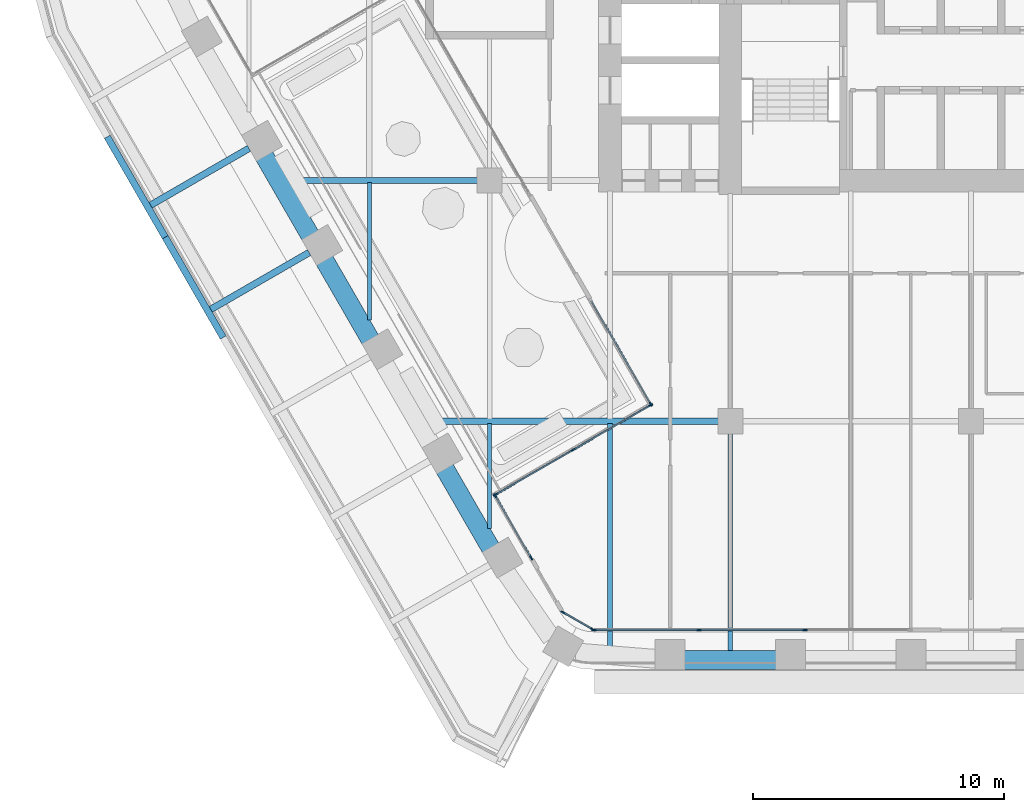
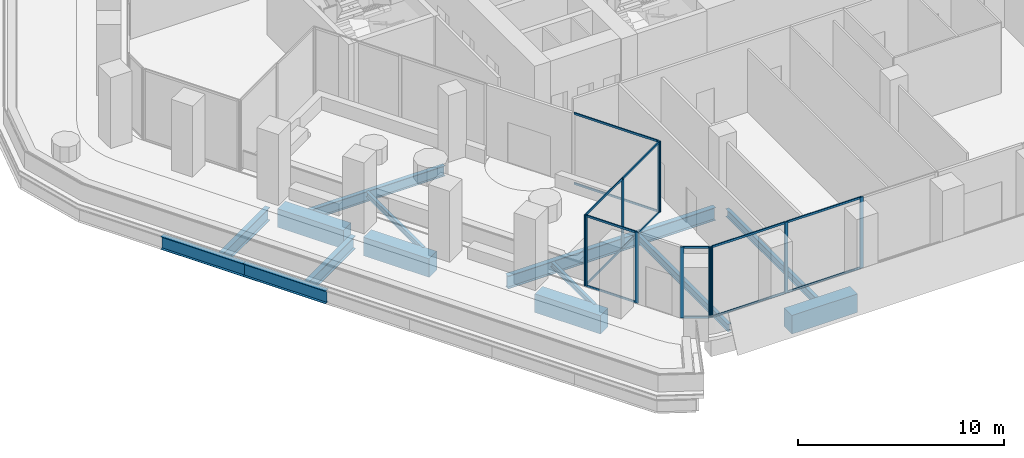
# One storey, part 2 of 27: 25 members, 14 beams, 5 elements without a shape of their own.
"""IFC4 building model written with IfcOpenShell, lengths in metres."""

from ifc_helpers import new_model, si_unit, direction, frame, origin, origin_2d, place, context, subcontext, project, spatial, rectangle, i_section, extrude, material, material_profile, profile_set, type_object, element, aggregate, save


model = new_model("IFC4")

# Units and contexts
model_context = context("Model", 3, precision=1e-05, world=origin(), true_north=direction((0.0, 1.0)))
body_context = subcontext(model_context, "Body", "Model", "MODEL_VIEW")
ifc_project = project(units=[si_unit("LENGTHUNIT", "METRE"), si_unit("AREAUNIT", "SQUARE_METRE"), si_unit("VOLUMEUNIT", "CUBIC_METRE"), si_unit("PLANEANGLEUNIT", "RADIAN"), si_unit("MASSUNIT", "GRAM", prefix="KILO")], contexts=[model_context])

# Site, building, storey
site_placement = place(None, origin())
site = spatial("IfcSite", under=ifc_project, at=site_placement, CompositionType="ELEMENT")
building_placement = place(site_placement, origin())
building = spatial("IfcBuilding", under=site, at=building_placement, Name="Kolab Exchange Tower", CompositionType="ELEMENT")
storey_placement = place(building_placement, frame((0.0, 0.0, 122.89990234375)))
storey = spatial("IfcBuildingStorey", under=building, at=storey_placement, Name="L24", CompositionType="ELEMENT", Elevation=122.89990234375)

# Beams
ifc_material_1 = material(Name="Steel S355", Category="steel")
ifc_material_profile_1 = material_profile(ifc_material_1, i_section(OverallWidth=0.1650390625, OverallDepth=0.31005859375, WebThickness=0.005859375, FlangeThickness=0.009765625, at=origin_2d()), Name="W310X39")
ifc_profile_set_1 = profile_set([ifc_material_profile_1], Name="Steel S355")
beam_type_1 = type_object("IfcBeamType", Name="FLOOR BEAM W310X39", PredefinedType="BEAM", material=ifc_profile_set_1)
beam_1_placement = place(storey_placement, frame((-24.0, -15.167724609375, -0.35498046875), z_axis=(0.0, 1.0, 0.0), x_axis=(-1.0, 0.0, 0.0)))
element("IfcBeam", 1, at=beam_1_placement, inside=storey, type_object=beam_type_1, Name="beam/L24/fr/002", PredefinedType="BEAM", context=body_context, shape_type="SweptSolid", body=[
    extrude(i_section(OverallWidth=0.1650390625, OverallDepth=0.31005859375, WebThickness=0.005859375, FlangeThickness=0.009765625, at=origin_2d()), origin(), (0.0, 0.0, 1.0), 5.49365234375),
])
beam_2_placement = place(storey_placement, frame((-19.199951171875, -23.4814453125, -0.35498046875), z_axis=(0.0, 1.0, 0.0), x_axis=(-1.0, 0.0, 0.0)))
element("IfcBeam", 2, at=beam_2_placement, inside=storey, type_object=beam_type_1, Name="beam/L24/fr/006", PredefinedType="BEAM", context=body_context, shape_type="SweptSolid", body=[
    extrude(i_section(OverallWidth=0.1650390625, OverallDepth=0.31005859375, WebThickness=0.005859375, FlangeThickness=0.009765625, at=origin_2d()), origin(), (0.0, 0.0, 1.0), 4.18798828125),
])
ifc_material_profile_2 = material_profile(ifc_material_1, i_section(OverallWidth=0.18994140625, OverallDepth=0.45703125, WebThickness=0.009033203125, FlangeThickness=0.014404296875, at=origin_2d()), Name="W460X74")
ifc_profile_set_2 = profile_set([ifc_material_profile_2], Name="Steel S355")
beam_type_2 = type_object("IfcBeamType", Name="FLOOR BEAM W460X74", PredefinedType="BEAM", material=ifc_profile_set_2)
beam_3_placement = place(storey_placement, frame((-14.39990234375, -28.194580078125, -0.428466796875), z_axis=(0.0, 1.0, 0.0), x_axis=(-1.0, 0.0, 0.0)))
element("IfcBeam", 3, at=beam_3_placement, inside=storey, type_object=beam_type_2, Name="beam/L24/fr/012", PredefinedType="BEAM", context=body_context, shape_type="SweptSolid", body=[
    extrude(i_section(OverallWidth=0.18994140625, OverallDepth=0.45703125, WebThickness=0.009033203125, FlangeThickness=0.014404296875, at=origin_2d()), origin(), (0.0, 0.0, 1.0), 8.901123046875),
])
beam_4_placement = place(storey_placement, frame((-9.60009765625, -28.388427734375, -0.428466796875), z_axis=(0.0, 1.0, 0.0), x_axis=(-1.0, 0.0, 0.0)))
element("IfcBeam", 4, at=beam_4_placement, inside=storey, type_object=beam_type_2, Name="beam/L24/fr/016", PredefinedType="BEAM", context=body_context, shape_type="SweptSolid", body=[
    extrude(i_section(OverallWidth=0.18994140625, OverallDepth=0.45703125, WebThickness=0.009033203125, FlangeThickness=0.014404296875, at=origin_2d()), origin(), (0.0, 0.0, 1.0), 8.728515625),
])
ifc_material_profile_3 = material_profile(ifc_material_1, i_section(OverallWidth=0.22802734375, OverallDepth=0.60791015625, WebThickness=0.01123046875, FlangeThickness=0.017333984375, at=origin_2d()), Name="W610X113")
ifc_profile_set_3 = profile_set([ifc_material_profile_3], Name="Steel S355")
beam_type_3 = type_object("IfcBeamType", Name="FLOOR GIRDER W610X113", PredefinedType="BEAM", material=ifc_profile_set_3)
beam_5_placement = place(storey_placement, frame((-27.2314453125, -9.60009765625, -0.50390625), z_axis=(1.0, 0.0, 0.0), x_axis=(0.0, 1.0, 0.0)))
element("IfcBeam", 5, at=beam_5_placement, inside=storey, type_object=beam_type_3, Name="beam/L24/gd/001", PredefinedType="BEAM", context=body_context, shape_type="SweptSolid", body=[
    extrude(i_section(OverallWidth=0.22802734375, OverallDepth=0.60791015625, WebThickness=0.01123046875, FlangeThickness=0.017333984375, at=origin_2d()), origin(), (0.0, 0.0, 1.0), 7.571533203125),
])
ifc_material_profile_4 = material_profile(ifc_material_1, i_section(OverallWidth=0.26708984375, OverallDepth=0.761962890625, WebThickness=0.014404296875, FlangeThickness=0.021484375, at=origin_2d()), Name="W760X173")
ifc_profile_set_4 = profile_set([ifc_material_profile_4], Name="Steel S355")
beam_type_4 = type_object("IfcBeamType", Name="FLOOR GIRDER W760X173", PredefinedType="BEAM", material=ifc_profile_set_4)
beam_6_placement = place(storey_placement, frame((-21.688720703125, -19.199951171875, -0.580810546875), z_axis=(1.0, 0.0, 0.0), x_axis=(0.0, 1.0, 0.0)))
element("IfcBeam", 6, at=beam_6_placement, inside=storey, type_object=beam_type_4, Name="beam/L24/gd/003", PredefinedType="BEAM", context=body_context, shape_type="SweptSolid", body=[
    extrude(i_section(OverallWidth=0.26708984375, OverallDepth=0.761962890625, WebThickness=0.014404296875, FlangeThickness=0.021484375, at=origin_2d()), origin(), (0.0, 0.0, 1.0), 11.628662109375),
])
beam_7_placement = place(storey_placement, frame((-26.39990234375, -12.470703125, -0.640869140625), z_axis=(-0.866020560687, -0.500008388397, 0.0), x_axis=(0.500008388397, -0.866020560687, 0.0)))
element("IfcBeam", 7, at=beam_7_placement, inside=storey, type_object=beam_type_4, Name="beam/L24/ledge/rib-04", PredefinedType="BEAM", context=body_context, shape_type="SweptSolid", body=[
    extrude(i_section(OverallWidth=0.26708984375, OverallDepth=0.761962890625, WebThickness=0.014404296875, FlangeThickness=0.021484375, at=origin_2d()), origin(), (0.0, 0.0, 1.0), 4.533203125),
])
beam_8_placement = place(storey_placement, frame((-28.800048828125, -8.313720703125, -0.640869140625), z_axis=(-0.866007095043, -0.500031710329, 0.0), x_axis=(0.500031710329, -0.866007095043, 0.0)))
element("IfcBeam", 8, at=beam_8_placement, inside=storey, type_object=beam_type_4, Name="beam/L24/ledge/rib-05", PredefinedType="BEAM", context=body_context, shape_type="SweptSolid", body=[
    extrude(i_section(OverallWidth=0.26708984375, OverallDepth=0.761962890625, WebThickness=0.014404296875, FlangeThickness=0.021484375, at=origin_2d()), origin(), (0.0, 0.0, 1.0), 4.532958984375),
])
beam_9_placement = place(storey_placement, frame((-29.831787109375, -15.85986328125, -0.640869140625), z_axis=(-0.499978438088, 0.866037852202, 0.0), x_axis=(-0.866037852202, -0.499978438088, 0.0)))
element("IfcBeam", 9, at=beam_9_placement, inside=storey, type_object=beam_type_4, Name="beam/L24/ledge/edge-05", PredefinedType="BEAM", context=body_context, shape_type="SweptSolid", body=[
    extrude(i_section(OverallWidth=0.26708984375, OverallDepth=0.761962890625, WebThickness=0.014404296875, FlangeThickness=0.021484375, at=origin_2d()), origin(), (0.0, 0.0, 1.0), 4.623291015625),
])
beam_10_placement = place(storey_placement, frame((-32.143310546875, -11.85595703125, -0.640869140625), z_axis=(-0.500001304485, 0.866024650639, 0.0), x_axis=(-0.866024650639, -0.500001304485, 0.0)))
element("IfcBeam", 10, at=beam_10_placement, inside=storey, type_object=beam_type_4, Name="beam/L24/ledge/edge-06", PredefinedType="BEAM", context=body_context, shape_type="SweptSolid", body=[
    extrude(i_section(OverallWidth=0.26708984375, OverallDepth=0.761962890625, WebThickness=0.014404296875, FlangeThickness=0.021484375, at=origin_2d()), origin(), (0.0, 0.0, 1.0), 4.623046875),
])
ifc_material_2 = material(Name="Concrete C70/85", Category="concrete")
ifc_material_profile_5 = material_profile(ifc_material_2, rectangle(XDim=0.75, YDim=1.10009765625, at=origin_2d()), Name="RC750X1100")
ifc_profile_set_5 = profile_set([ifc_material_profile_5], Name="Concrete C70/85")
beam_type_5 = type_object("IfcBeamType", Name="SPANDREL BEAM 750X1100 C70/85", PredefinedType="BEAM", material=ifc_profile_set_5)
beam_11_placement = place(storey_placement, frame((-7.760009765625, -28.723388671875, -0.75), z_axis=(-1.0, 0.0, 0.0), x_axis=(0.0, -1.0, 0.0)))
element("IfcBeam", 11, at=beam_11_placement, inside=storey, type_object=beam_type_5, Name="beam/L24/sp/F4-06", PredefinedType="BEAM", context=body_context, shape_type="SweptSolid", body=[
    extrude(rectangle(XDim=0.75, YDim=1.10009765625, at=origin_2d()), origin(), (0.0, 0.0, 1.0), 3.679931640625),
])
beam_12_placement = place(storey_placement, frame((-19.1552734375, -24.26904296875, -0.75), z_axis=(-0.500013413428, 0.866017659399, 0.0), x_axis=(-0.866017659399, -0.500013413428, 0.0)))
element("IfcBeam", 12, at=beam_12_placement, inside=storey, type_object=beam_type_5, Name="beam/L24/sp/F5-02", PredefinedType="BEAM", context=body_context, shape_type="SweptSolid", body=[
    extrude(rectangle(XDim=0.75, YDim=1.10009765625, at=origin_2d()), origin(), (0.0, 0.0, 1.0), 3.68017578125),
])
beam_13_placement = place(storey_placement, frame((-23.955322265625, -15.955322265625, -0.75), z_axis=(-0.499963655964, 0.866046386007, 0.0), x_axis=(-0.866046386007, -0.499963655964, 0.0)))
element("IfcBeam", 13, at=beam_13_placement, inside=storey, type_object=beam_type_5, Name="beam/L24/sp/F5-04", PredefinedType="BEAM", context=body_context, shape_type="SweptSolid", body=[
    extrude(rectangle(XDim=0.75, YDim=1.10009765625, at=origin_2d()), origin(), (0.0, 0.0, 1.0), 3.679931640625),
])
beam_14_placement = place(storey_placement, frame((-26.355224609375, -11.79833984375, -0.75), z_axis=(-0.500013413428, 0.866017659399, 0.0), x_axis=(-0.866017659399, -0.500013413428, 0.0)))
element("IfcBeam", 14, at=beam_14_placement, inside=storey, type_object=beam_type_5, Name="beam/L24/sp/F5-05", PredefinedType="BEAM", context=body_context, shape_type="SweptSolid", body=[
    extrude(rectangle(XDim=0.75, YDim=1.10009765625, at=origin_2d()), origin(), (0.0, 0.0, 1.0), 3.68017578125),
])

# Curtain wall, members
ifc_material_3 = material(Name="Aluminium EN AW-6063 T6", Category="aluminium")
curtain_wall_type = type_object("IfcCurtainWallType", Name="UNITISED LOWER MID ZONE CURTAIN WALL", PredefinedType="NOTDEFINED", material=ifc_material_3)
curtain_wall_1_placement = place(storey_placement, origin())
curtain_wall_1 = element("IfcCurtainWall", 15, at=curtain_wall_1_placement, inside=storey, type_object=curtain_wall_type, Name="cw/L24/F4-2", PredefinedType="NOTDEFINED")
ifc_material_profile_6 = material_profile(ifc_material_3, rectangle(XDim=0.06005859375, YDim=0.179931640625, at=origin_2d()), Name="RECT 60X180")
ifc_profile_set_6 = profile_set([ifc_material_profile_6], Name="Aluminium EN AW-6063 T6")
member_type_1 = type_object("IfcMemberType", Name="UNITISED LOWER MID ZONE MULLION 60 X 180", PredefinedType="MULLION", material=ifc_profile_set_6)
member_1_placement = place(storey_placement, frame((-6.62255859375, -27.5185546875, 0.0), z_axis=(0.0, 0.0, 1.0), x_axis=(0.0, -1.0, 0.0)))
member_1 = element("IfcMember", 16, at=member_1_placement, type_object=member_type_1, Name="CW2 mullion 2", PredefinedType="MULLION", context=body_context, shape_type="SweptSolid", body=[
    extrude(rectangle(XDim=0.06005859375, YDim=0.179931640625, at=origin_2d()), origin(), (0.0, 0.0, 1.0), 4.2001953125),
])
member_2_placement = place(storey_placement, frame((-10.84521484375, -27.5185546875, 0.0), z_axis=(0.0, 0.0, 1.0), x_axis=(0.0, -1.0, 0.0)))
member_2 = element("IfcMember", 17, at=member_2_placement, type_object=member_type_1, Name="CW2 mullion 3", PredefinedType="MULLION", context=body_context, shape_type="SweptSolid", body=[
    extrude(rectangle(XDim=0.06005859375, YDim=0.179931640625, at=origin_2d()), origin(), (0.0, 0.0, 1.0), 4.2001953125),
])
member_3_placement = place(storey_placement, frame((-15.037841796875, -27.5185546875, 0.0), z_axis=(0.0, 0.0, 1.0), x_axis=(0.0, -1.0, 0.0)))
member_3 = element("IfcMember", 18, at=member_3_placement, type_object=member_type_1, Name="CW2 mullion 4", PredefinedType="MULLION", context=body_context, shape_type="SweptSolid", body=[
    extrude(rectangle(XDim=0.06005859375, YDim=0.179931640625, at=origin_2d()), origin(), (0.0, 0.0, 1.0), 4.2001953125),
])

curtain_wall_2_placement = place(storey_placement, origin())
curtain_wall_2 = element("IfcCurtainWall", 19, at=curtain_wall_2_placement, inside=storey, type_object=curtain_wall_type, Name="cw/L24/F5-l-1", PredefinedType="NOTDEFINED")
member_4_placement = place(storey_placement, frame((-17.542724609375, -24.652099609375, 0.0), z_axis=(0.0, 0.0, 1.0), x_axis=(-0.866025396864, -0.500000011986, 0.0)))
member_4 = element("IfcMember", 20, at=member_4_placement, type_object=member_type_1, Name="CW2 mullion 1", PredefinedType="MULLION", context=body_context, shape_type="SweptSolid", body=[
    extrude(rectangle(XDim=0.06005859375, YDim=0.179931640625, at=origin_2d()), origin(), (0.0, 0.0, 1.0), 4.2001953125),
])
member_5_placement = place(storey_placement, frame((-18.9765625, -22.168212890625, 0.0), z_axis=(0.0, 0.0, 1.0), x_axis=(-0.866025396864, -0.500000011986, 0.0)))
member_5 = element("IfcMember", 21, at=member_5_placement, type_object=member_type_1, Name="CW2 mullion 2", PredefinedType="MULLION", context=body_context, shape_type="SweptSolid", body=[
    extrude(rectangle(XDim=0.06005859375, YDim=0.179931640625, at=origin_2d()), origin(), (0.0, 0.0, 1.0), 4.2001953125),
])

curtain_wall_3_placement = place(storey_placement, origin())
curtain_wall_3 = element("IfcCurtainWall", 22, at=curtain_wall_3_placement, inside=storey, type_object=curtain_wall_type, Name="cw/L24/F5-rl-1", PredefinedType="NOTDEFINED")
member_6_placement = place(storey_placement, frame((-18.9658203125, -22.12744140625, 0.0), z_axis=(0.0, 0.0, 1.0), x_axis=(-0.499999994423, 0.866025407005, 0.0)))
member_6 = element("IfcMember", 23, at=member_6_placement, type_object=member_type_1, Name="CW2 mullion 1", PredefinedType="MULLION", context=body_context, shape_type="SweptSolid", body=[
    extrude(rectangle(XDim=0.06005859375, YDim=0.179931640625, at=origin_2d()), origin(), (0.0, 0.0, 1.0), 4.2001953125),
])
member_7_placement = place(storey_placement, frame((-15.8740234375, -20.34228515625, 0.0), z_axis=(0.0, 0.0, 1.0), x_axis=(-0.499999994423, 0.866025407005, 0.0)))
member_7 = element("IfcMember", 24, at=member_7_placement, type_object=member_type_1, Name="CW2 mullion 2", PredefinedType="MULLION", context=body_context, shape_type="SweptSolid", body=[
    extrude(rectangle(XDim=0.06005859375, YDim=0.179931640625, at=origin_2d()), origin(), (0.0, 0.0, 1.0), 4.2001953125),
])
member_8_placement = place(storey_placement, frame((-12.7822265625, -18.557373046875, 0.0), z_axis=(0.0, 0.0, 1.0), x_axis=(-0.499999994423, 0.866025407005, 0.0)))
member_8 = element("IfcMember", 25, at=member_8_placement, type_object=member_type_1, Name="CW2 mullion 3", PredefinedType="MULLION", context=body_context, shape_type="SweptSolid", body=[
    extrude(rectangle(XDim=0.06005859375, YDim=0.179931640625, at=origin_2d()), origin(), (0.0, 0.0, 1.0), 4.2001953125),
])

# Curtain wall, member
curtain_wall_4_placement = place(storey_placement, origin())
curtain_wall_4 = element("IfcCurtainWall", 26, at=curtain_wall_4_placement, inside=storey, type_object=curtain_wall_type, Name="cw/L24/F5-back-1", PredefinedType="NOTDEFINED")
member_9_placement = place(storey_placement, frame((-12.771240234375, -18.516357421875, 0.0), z_axis=(0.0, 0.0, 1.0), x_axis=(-0.866025406141, -0.499999995919, 0.0)))
member_9 = element("IfcMember", 27, at=member_9_placement, type_object=member_type_1, Name="CW2 mullion 1", PredefinedType="MULLION", context=body_context, shape_type="SweptSolid", body=[
    extrude(rectangle(XDim=0.06005859375, YDim=0.179931640625, at=origin_2d()), origin(), (0.0, 0.0, 1.0), 4.2001953125),
])

# Curtain wall, members
curtain_wall_5_placement = place(storey_placement, origin())
curtain_wall_5 = element("IfcCurtainWall", 28, at=curtain_wall_5_placement, inside=storey, type_object=curtain_wall_type, Name="cw/L24/F4F5-corner", PredefinedType="NOTDEFINED")
member_10_placement = place(storey_placement, frame((-15.093994140625, -27.50341796875, 0.0), z_axis=(0.0, 0.0, 1.0), x_axis=(-0.50000002237, -0.866025390869, 0.0)))
member_10 = element("IfcMember", 29, at=member_10_placement, type_object=member_type_1, Name="CW2 mullion 1", PredefinedType="MULLION", context=body_context, shape_type="SweptSolid", body=[
    extrude(rectangle(XDim=0.06005859375, YDim=0.179931640625, at=origin_2d()), origin(), (0.0, 0.0, 1.0), 4.2001953125),
])
member_11_placement = place(storey_placement, frame((-16.271728515625, -26.823486328125, 0.0), z_axis=(0.0, 0.0, 1.0), x_axis=(-0.50000002237, -0.866025390869, 0.0)))
member_11 = element("IfcMember", 30, at=member_11_placement, type_object=member_type_1, Name="CW2 mullion 2", PredefinedType="MULLION", context=body_context, shape_type="SweptSolid", body=[
    extrude(rectangle(XDim=0.06005859375, YDim=0.179931640625, at=origin_2d()), origin(), (0.0, 0.0, 1.0), 4.2001953125),
])

# Member
ifc_material_profile_7 = material_profile(ifc_material_3, rectangle(XDim=0.06005859375, YDim=0.1201171875, at=origin_2d()), Name="RECT 60X120")
ifc_profile_set_7 = profile_set([ifc_material_profile_7], Name="Aluminium EN AW-6063 T6")
member_type_2 = type_object("IfcMemberType", Name="UNITISED LOWER MID ZONE TRANSOM 60 X 120", PredefinedType="USERDEFINED", material=ifc_profile_set_7)
member_12_placement = place(storey_placement, frame((-6.652587890625, -27.5185546875, 0.030029296875), z_axis=(-1.0, 0.0, 0.0), x_axis=(0.0, -1.0, 0.0)))
member_12 = element("IfcMember", 31, at=member_12_placement, type_object=member_type_2, Name="CW2 transom 2.1", ObjectType="TRANSOM", PredefinedType="USERDEFINED", context=body_context, shape_type="SweptSolid", body=[
    extrude(rectangle(XDim=0.06005859375, YDim=0.1201171875, at=origin_2d()), origin(), (0.0, 0.0, 1.0), 4.16259765625),
])

member_13_placement = place(storey_placement, frame((-6.652587890625, -27.5185546875, 4.170166015625), z_axis=(-1.0, 0.0, 0.0), x_axis=(0.0, -1.0, 0.0)))
member_13 = element("IfcMember", 32, at=member_13_placement, type_object=member_type_2, Name="CW2 transom 2.2", ObjectType="TRANSOM", PredefinedType="USERDEFINED", context=body_context, shape_type="SweptSolid", body=[
    extrude(rectangle(XDim=0.06005859375, YDim=0.1201171875, at=origin_2d()), origin(), (0.0, 0.0, 1.0), 4.16259765625),
])

member_14_placement = place(storey_placement, frame((-10.875244140625, -27.5185546875, 0.030029296875), z_axis=(-1.0, 0.0, 0.0), x_axis=(0.0, -1.0, 0.0)))
member_14 = element("IfcMember", 33, at=member_14_placement, type_object=member_type_2, Name="CW2 transom 3.1", ObjectType="TRANSOM", PredefinedType="USERDEFINED", context=body_context, shape_type="SweptSolid", body=[
    extrude(rectangle(XDim=0.06005859375, YDim=0.1201171875, at=origin_2d()), origin(), (0.0, 0.0, 1.0), 4.1328125),
])

member_15_placement = place(storey_placement, frame((-10.875244140625, -27.5185546875, 4.170166015625), z_axis=(-1.0, 0.0, 0.0), x_axis=(0.0, -1.0, 0.0)))
member_15 = element("IfcMember", 34, at=member_15_placement, type_object=member_type_2, Name="CW2 transom 3.2", ObjectType="TRANSOM", PredefinedType="USERDEFINED", context=body_context, shape_type="SweptSolid", body=[
    extrude(rectangle(XDim=0.06005859375, YDim=0.1201171875, at=origin_2d()), origin(), (0.0, 0.0, 1.0), 4.1328125),
])

aggregate(curtain_wall_1, [member_1, member_2, member_3, member_12, member_13, member_14, member_15])

member_16_placement = place(storey_placement, frame((-17.5576171875, -24.6259765625, 0.030029296875), z_axis=(-0.500038560046, 0.866003139987, 0.0), x_axis=(-0.866003139987, -0.500038560046, 0.0)))
member_16 = element("IfcMember", 35, at=member_16_placement, type_object=member_type_2, Name="CW2 transom 1.1", ObjectType="TRANSOM", PredefinedType="USERDEFINED", context=body_context, shape_type="SweptSolid", body=[
    extrude(rectangle(XDim=0.06005859375, YDim=0.1201171875, at=origin_2d()), origin(), (0.0, 0.0, 1.0), 2.807861328125),
])

member_17_placement = place(storey_placement, frame((-17.5576171875, -24.6259765625, 4.170166015625), z_axis=(-0.500038560046, 0.866003139987, 0.0), x_axis=(-0.866003139987, -0.500038560046, 0.0)))
member_17 = element("IfcMember", 36, at=member_17_placement, type_object=member_type_2, Name="CW2 transom 1.2", ObjectType="TRANSOM", PredefinedType="USERDEFINED", context=body_context, shape_type="SweptSolid", body=[
    extrude(rectangle(XDim=0.06005859375, YDim=0.1201171875, at=origin_2d()), origin(), (0.0, 0.0, 1.0), 2.807861328125),
])

aggregate(curtain_wall_2, [member_4, member_5, member_16, member_17])

member_18_placement = place(storey_placement, frame((-18.939697265625, -22.1123046875, 0.030029296875), z_axis=(0.866043119098, 0.499969314921, 0.0), x_axis=(-0.499969314921, 0.866043119098, 0.0)))
member_18 = element("IfcMember", 37, at=member_18_placement, type_object=member_type_2, Name="CW2 transom 1.1", ObjectType="TRANSOM", PredefinedType="USERDEFINED", context=body_context, shape_type="SweptSolid", body=[
    extrude(rectangle(XDim=0.06005859375, YDim=0.1201171875, at=origin_2d()), origin(), (0.0, 0.0, 1.0), 3.510009765625),
])

member_19_placement = place(storey_placement, frame((-18.939697265625, -22.1123046875, 4.170166015625), z_axis=(0.866043119098, 0.499969314921, 0.0), x_axis=(-0.499969314921, 0.866043119098, 0.0)))
member_19 = element("IfcMember", 38, at=member_19_placement, type_object=member_type_2, Name="CW2 transom 1.2", ObjectType="TRANSOM", PredefinedType="USERDEFINED", context=body_context, shape_type="SweptSolid", body=[
    extrude(rectangle(XDim=0.06005859375, YDim=0.1201171875, at=origin_2d()), origin(), (0.0, 0.0, 1.0), 3.510009765625),
])

member_20_placement = place(storey_placement, frame((-15.847900390625, -20.327392578125, 0.030029296875), z_axis=(0.86599560964, 0.500051601422, 0.0), x_axis=(-0.500051601422, 0.86599560964, 0.0)))
member_20 = element("IfcMember", 39, at=member_20_placement, type_object=member_type_2, Name="CW2 transom 2.1", ObjectType="TRANSOM", PredefinedType="USERDEFINED", context=body_context, shape_type="SweptSolid", body=[
    extrude(rectangle(XDim=0.06005859375, YDim=0.1201171875, at=origin_2d()), origin(), (0.0, 0.0, 1.0), 3.510009765625),
])

member_21_placement = place(storey_placement, frame((-15.847900390625, -20.327392578125, 4.170166015625), z_axis=(0.86599560964, 0.500051601422, 0.0), x_axis=(-0.500051601422, 0.86599560964, 0.0)))
member_21 = element("IfcMember", 40, at=member_21_placement, type_object=member_type_2, Name="CW2 transom 2.2", ObjectType="TRANSOM", PredefinedType="USERDEFINED", context=body_context, shape_type="SweptSolid", body=[
    extrude(rectangle(XDim=0.06005859375, YDim=0.1201171875, at=origin_2d()), origin(), (0.0, 0.0, 1.0), 3.510009765625),
])

aggregate(curtain_wall_3, [member_6, member_7, member_8, member_18, member_19, member_20, member_21])

member_22_placement = place(storey_placement, frame((-12.786376953125, -18.490478515625, 0.030029296875), z_axis=(-0.499977671647, 0.866038294681, 0.0), x_axis=(-0.866038294681, -0.499977671647, 0.0)))
member_22 = element("IfcMember", 41, at=member_22_placement, type_object=member_type_2, Name="CW2 transom 1.1", ObjectType="TRANSOM", PredefinedType="USERDEFINED", context=body_context, shape_type="SweptSolid", body=[
    extrude(rectangle(XDim=0.06005859375, YDim=0.1201171875, at=origin_2d()), origin(), (0.0, 0.0, 1.0), 4.719970703125),
])

member_23_placement = place(storey_placement, frame((-12.786376953125, -18.490478515625, 4.170166015625), z_axis=(-0.499977671647, 0.866038294681, 0.0), x_axis=(-0.866038294681, -0.499977671647, 0.0)))
member_23 = element("IfcMember", 42, at=member_23_placement, type_object=member_type_2, Name="CW2 transom 1.2", ObjectType="TRANSOM", PredefinedType="USERDEFINED", context=body_context, shape_type="SweptSolid", body=[
    extrude(rectangle(XDim=0.06005859375, YDim=0.1201171875, at=origin_2d()), origin(), (0.0, 0.0, 1.0), 4.719970703125),
])

aggregate(curtain_wall_4, [member_9, member_22, member_23])

member_24_placement = place(storey_placement, frame((-15.119873046875, -27.488525390625, 0.030029296875), z_axis=(-0.866004217611, 0.500036693733, 0.0), x_axis=(-0.500036693733, -0.866004217611, 0.0)))
member_24 = element("IfcMember", 43, at=member_24_placement, type_object=member_type_2, Name="CW2 transom 1.1", ObjectType="TRANSOM", PredefinedType="USERDEFINED", context=body_context, shape_type="SweptSolid", body=[
    extrude(rectangle(XDim=0.06005859375, YDim=0.1201171875, at=origin_2d()), origin(), (0.0, 0.0, 1.0), 1.30029296875),
])

member_25_placement = place(storey_placement, frame((-15.119873046875, -27.488525390625, 4.170166015625), z_axis=(-0.866004217611, 0.500036693733, 0.0), x_axis=(-0.500036693733, -0.866004217611, 0.0)))
member_25 = element("IfcMember", 44, at=member_25_placement, type_object=member_type_2, Name="CW2 transom 1.2", ObjectType="TRANSOM", PredefinedType="USERDEFINED", context=body_context, shape_type="SweptSolid", body=[
    extrude(rectangle(XDim=0.06005859375, YDim=0.1201171875, at=origin_2d()), origin(), (0.0, 0.0, 1.0), 1.30029296875),
])

aggregate(curtain_wall_5, [member_10, member_11, member_24, member_25])

save(model, "model.ifc")
